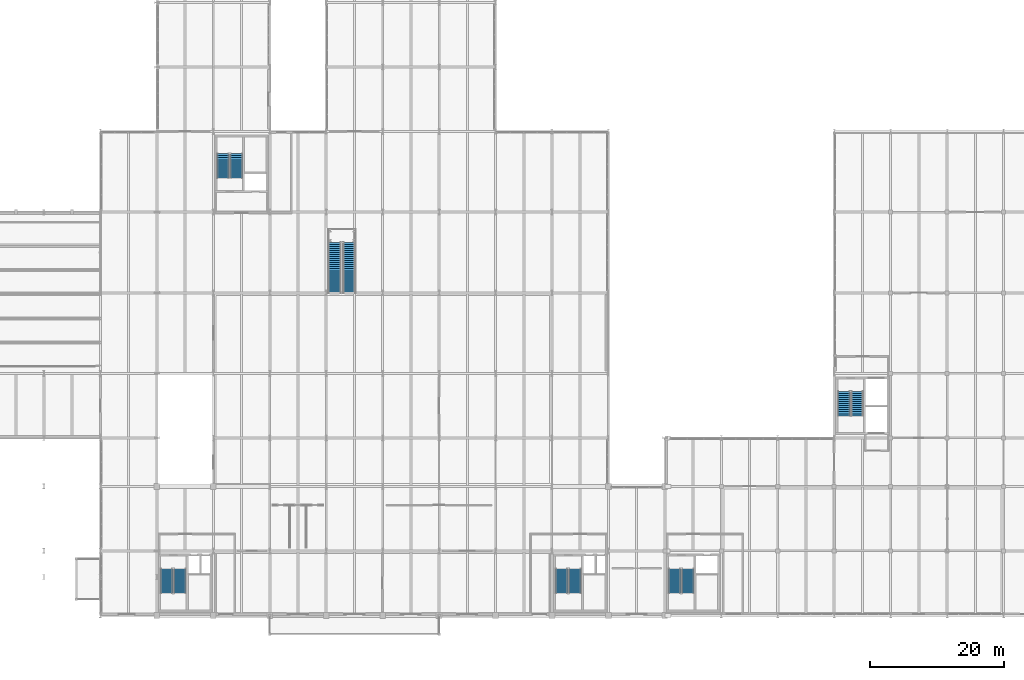
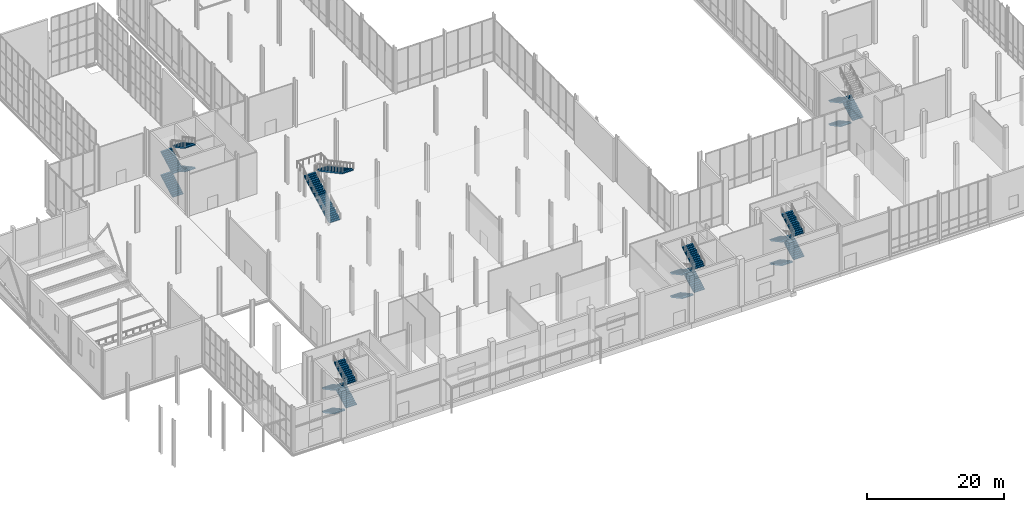
# One storey, part 121 of 131: 21 stair flights, 6 elements without a shape of their own.
"""IFC4 building model written with IfcOpenShell, lengths in metres."""

from ifc_helpers import new_model, si_unit, direction, frame, origin, place, context, subcontext, project, spatial, polyline, outline, extrude, material, type_object, element, aggregate, save


model = new_model("IFC4")

# Units and contexts
model_context = context("Model", 3, precision=1e-05, world=origin(), true_north=direction((0.0, 1.0)))
body_context = subcontext(model_context, "Body", "Model", "MODEL_VIEW")
ifc_project = project(units=[si_unit("LENGTHUNIT", "METRE"), si_unit("AREAUNIT", "SQUARE_METRE"), si_unit("VOLUMEUNIT", "CUBIC_METRE"), si_unit("PLANEANGLEUNIT", "RADIAN"), si_unit("MASSUNIT", "GRAM", prefix="KILO")], contexts=[model_context])

# Site, building, storey
site_placement = place(None, origin())
site = spatial("IfcSite", under=ifc_project, at=site_placement, CompositionType="ELEMENT")
building_placement = place(site_placement, origin())
building = spatial("IfcBuilding", under=site, at=building_placement, Name="Veltarok Museum of Natural Sciences", CompositionType="ELEMENT")
storey_placement = place(building_placement, origin())
storey = spatial("IfcBuildingStorey", under=building, at=storey_placement, Name="L00", CompositionType="ELEMENT", Elevation=0.0)

# Stair, stair flights
ifc_material = material(Name="Precast concrete C40/50", Category="concrete")
stair_type_1 = type_object("IfcStairType", Name="Constructivist Atrium Feature Stair H8400", PredefinedType="HALF_TURN_STAIR", material=ifc_material)
stair_1_placement = place(storey_placement, origin())
stair_1 = element("IfcStair", 1, at=stair_1_placement, inside=storey, type_object=stair_type_1, Name="Constructivist Atrium Feature Stair ST-ATR01", PredefinedType="HALF_TURN_STAIR")
stair_flight_type_1 = type_object("IfcStairFlightType", Name="Atrium Feature Stair Flight W1900", PredefinedType="STRAIGHT", material=ifc_material)
stair_flight_1_placement = place(storey_placement, frame((58.06005859375, 47.97998046875, 0.0), z_axis=(0.0, 0.0, 1.0), x_axis=(0.0, 1.0, 0.0)))
stair_flight_1 = element("IfcStairFlight", 2, at=stair_flight_1_placement, type_object=stair_flight_type_1, Name="ST-ATR01 flight 1", NumberOfRisers=26, NumberOfTreads=25, PredefinedType="STRAIGHT", RiserHeight=0.161538, TreadLength=0.3, context=body_context, shape_type="SweptSolid", body=[
    extrude(outline(polyline([(0.0, 0.0), (0.0, 0.16162109375), (0.300048828125, 0.16162109375), (0.300048828125, 0.322998046875), (0.60009765625, 0.322998046875), (0.60009765625, 0.484619140625), (0.89990234375, 0.484619140625), (0.89990234375, 0.646240234375), (1.199951171875, 0.646240234375), (1.199951171875, 0.8076171875), (1.5, 0.8076171875), (1.5, 0.96923828125), (1.800048828125, 0.96923828125), (1.800048828125, 1.130859375), (2.10009765625, 1.130859375), (2.10009765625, 1.292236328125), (2.39990234375, 1.292236328125), (2.39990234375, 1.453857421875), (2.699951171875, 1.453857421875), (2.699951171875, 1.615478515625), (3.0, 1.615478515625), (3.0, 1.77685546875), (3.300048828125, 1.77685546875), (3.300048828125, 1.9384765625), (3.60009765625, 1.9384765625), (3.60009765625, 2.10009765625), (3.89990234375, 2.10009765625), (3.89990234375, 2.261474609375), (4.199951171875, 2.261474609375), (4.199951171875, 2.423095703125), (4.5, 2.423095703125), (4.5, 2.584716796875), (4.800048828125, 2.584716796875), (4.800048828125, 2.74609375), (5.10009765625, 2.74609375), (5.10009765625, 2.90771484375), (5.39990234375, 2.90771484375), (5.39990234375, 3.0693359375), (5.699951171875, 3.0693359375), (5.699951171875, 3.230712890625), (6.0, 3.230712890625), (6.0, 3.392333984375), (6.300048828125, 3.392333984375), (6.300048828125, 3.553955078125), (6.60009765625, 3.553955078125), (6.60009765625, 3.71533203125), (6.89990234375, 3.71533203125), (6.89990234375, 3.876953125), (7.199951171875, 3.876953125), (7.199951171875, 4.038330078125), (7.5, 4.038330078125), (7.5, 4.199951171875), (7.5, 3.811279296875), (0.421630859375, 0.0), (0.0, 0.0)])), frame((0.0, 0.949951171875, 0.0), z_axis=(0.0, -1.0, 0.0), x_axis=(1.0, 0.0, 0.0)), (0.0, 0.0, 1.0), 1.89990234375),
])
stair_flight_2_placement = place(storey_placement, frame((60.260009765625, 55.47998046875, 4.199951171875), z_axis=(0.0, 0.0, 1.0), x_axis=(0.0, -1.0, 0.0)))
stair_flight_2 = element("IfcStairFlight", 3, at=stair_flight_2_placement, type_object=stair_flight_type_1, Name="ST-ATR01 flight 2", NumberOfRisers=26, NumberOfTreads=25, PredefinedType="STRAIGHT", RiserHeight=0.161538, TreadLength=0.3, context=body_context, shape_type="SweptSolid", body=[
    extrude(outline(polyline([(0.0, 0.0), (0.0, 0.16162109375), (0.300048828125, 0.16162109375), (0.300048828125, 0.322998046875), (0.60009765625, 0.322998046875), (0.60009765625, 0.484619140625), (0.89990234375, 0.484619140625), (0.89990234375, 0.646240234375), (1.199951171875, 0.646240234375), (1.199951171875, 0.8076171875), (1.5, 0.8076171875), (1.5, 0.96923828125), (1.800048828125, 0.96923828125), (1.800048828125, 1.130859375), (2.10009765625, 1.130859375), (2.10009765625, 1.292236328125), (2.39990234375, 1.292236328125), (2.39990234375, 1.453857421875), (2.699951171875, 1.453857421875), (2.699951171875, 1.615478515625), (3.0, 1.615478515625), (3.0, 1.77685546875), (3.300048828125, 1.77685546875), (3.300048828125, 1.9384765625), (3.60009765625, 1.9384765625), (3.60009765625, 2.10009765625), (3.89990234375, 2.10009765625), (3.89990234375, 2.261474609375), (4.199951171875, 2.261474609375), (4.199951171875, 2.423095703125), (4.5, 2.423095703125), (4.5, 2.584716796875), (4.800048828125, 2.584716796875), (4.800048828125, 2.74609375), (5.10009765625, 2.74609375), (5.10009765625, 2.90771484375), (5.39990234375, 2.90771484375), (5.39990234375, 3.0693359375), (5.699951171875, 3.0693359375), (5.699951171875, 3.230712890625), (6.0, 3.230712890625), (6.0, 3.392333984375), (6.300048828125, 3.392333984375), (6.300048828125, 3.553955078125), (6.60009765625, 3.553955078125), (6.60009765625, 3.71533203125), (6.89990234375, 3.71533203125), (6.89990234375, 3.876953125), (7.199951171875, 3.876953125), (7.199951171875, 4.038330078125), (7.5, 4.038330078125), (7.5, 4.199951171875), (7.5, 3.811279296875), (0.421630859375, 0.0), (0.0, 0.0)])), frame((0.0, 0.949951171875, 0.0), z_axis=(0.0, -1.0, 0.0), x_axis=(1.0, 0.0, 0.0)), (0.0, 0.0, 1.0), 1.89990234375),
])
aggregate(stair_1, [stair_flight_1, stair_flight_2])

stair_type_2 = type_object("IfcStairType", Name="Protected Four-Flight Double-Height Escape Stair H8400", PredefinedType="HALF_TURN_STAIR", material=ifc_material)
stair_2_placement = place(storey_placement, origin())
stair_2 = element("IfcStair", 4, at=stair_2_placement, inside=storey, type_object=stair_type_2, Name="Protected Escape Stair ST-01-L00", PredefinedType="HALF_TURN_STAIR")
stair_flight_type_2 = type_object("IfcStairFlightType", Name="Protected Escape Stair Flight W1820", PredefinedType="STRAIGHT", material=ifc_material)
stair_flight_3_placement = place(storey_placement, frame((33.06005859375, 6.89990234375, 0.0), z_axis=(0.0, 0.0, 1.0), x_axis=(0.0, -1.0, 0.0)))
stair_flight_3 = element("IfcStairFlight", 5, at=stair_flight_3_placement, type_object=stair_flight_type_2, Name="ST-01-L00 flight 1", NumberOfRisers=13, NumberOfTreads=12, PredefinedType="STRAIGHT", RiserHeight=0.161538, TreadLength=0.3, context=body_context, shape_type="SweptSolid", body=[
    extrude(outline(polyline([(0.0, 0.0), (0.0, 0.16162109375), (0.300048828125, 0.16162109375), (0.300048828125, 0.322998046875), (0.60009765625, 0.322998046875), (0.60009765625, 0.484619140625), (0.89990234375, 0.484619140625), (0.89990234375, 0.646240234375), (1.199951171875, 0.646240234375), (1.199951171875, 0.8076171875), (1.5, 0.8076171875), (1.5, 0.96923828125), (1.800048828125, 0.96923828125), (1.800048828125, 1.130859375), (2.10009765625, 1.130859375), (2.10009765625, 1.292236328125), (2.39990234375, 1.292236328125), (2.39990234375, 1.453857421875), (2.699951171875, 1.453857421875), (2.699951171875, 1.615478515625), (3.0, 1.615478515625), (3.0, 1.77685546875), (3.300048828125, 1.77685546875), (3.300048828125, 1.9384765625), (3.60009765625, 1.9384765625), (3.60009765625, 2.10009765625), (3.60009765625, 1.734130859375), (0.379638671875, 0.0), (0.0, 0.0)])), frame((0.0, 0.91015625, 0.0), z_axis=(0.0, -1.0, 0.0), x_axis=(1.0, 0.0, 0.0)), (0.0, 0.0, 1.0), 1.820068359375),
])
stair_flight_4_placement = place(storey_placement, frame((35.0400390625, 3.300048828125, 2.10009765625), z_axis=(0.0, 0.0, 1.0), x_axis=(0.0, 1.0, 0.0)))
stair_flight_4 = element("IfcStairFlight", 6, at=stair_flight_4_placement, type_object=stair_flight_type_2, Name="ST-01-L00 flight 2", NumberOfRisers=13, NumberOfTreads=12, PredefinedType="STRAIGHT", RiserHeight=0.161538, TreadLength=0.3, context=body_context, shape_type="SweptSolid", body=[
    extrude(outline(polyline([(0.0, 0.0), (0.0, 0.16162109375), (0.300048828125, 0.16162109375), (0.300048828125, 0.322998046875), (0.60009765625, 0.322998046875), (0.60009765625, 0.484619140625), (0.89990234375, 0.484619140625), (0.89990234375, 0.646240234375), (1.199951171875, 0.646240234375), (1.199951171875, 0.8076171875), (1.5, 0.8076171875), (1.5, 0.96923828125), (1.800048828125, 0.96923828125), (1.800048828125, 1.130859375), (2.10009765625, 1.130859375), (2.10009765625, 1.292236328125), (2.39990234375, 1.292236328125), (2.39990234375, 1.453857421875), (2.699951171875, 1.453857421875), (2.699951171875, 1.615478515625), (3.0, 1.615478515625), (3.0, 1.77685546875), (3.300048828125, 1.77685546875), (3.300048828125, 1.9384765625), (3.60009765625, 1.9384765625), (3.60009765625, 2.10009765625), (3.60009765625, 1.734130859375), (0.379638671875, 0.0), (0.0, 0.0)])), frame((0.0, 0.91015625, 0.0), z_axis=(0.0, -1.0, 0.0), x_axis=(1.0, 0.0, 0.0)), (0.0, 0.0, 1.0), 1.820068359375),
])
stair_flight_5_placement = place(storey_placement, frame((33.06005859375, 6.89990234375, 4.199951171875), z_axis=(0.0, 0.0, 1.0), x_axis=(0.0, -1.0, 0.0)))
stair_flight_5 = element("IfcStairFlight", 7, at=stair_flight_5_placement, type_object=stair_flight_type_2, Name="ST-01-L00 flight 3", NumberOfRisers=13, NumberOfTreads=12, PredefinedType="STRAIGHT", RiserHeight=0.161538, TreadLength=0.3, context=body_context, shape_type="SweptSolid", body=[
    extrude(outline(polyline([(0.0, 0.0), (0.0, 0.16162109375), (0.300048828125, 0.16162109375), (0.300048828125, 0.322998046875), (0.60009765625, 0.322998046875), (0.60009765625, 0.484619140625), (0.89990234375, 0.484619140625), (0.89990234375, 0.646240234375), (1.199951171875, 0.646240234375), (1.199951171875, 0.8076171875), (1.5, 0.8076171875), (1.5, 0.96923828125), (1.800048828125, 0.96923828125), (1.800048828125, 1.130859375), (2.10009765625, 1.130859375), (2.10009765625, 1.292236328125), (2.39990234375, 1.292236328125), (2.39990234375, 1.453857421875), (2.699951171875, 1.453857421875), (2.699951171875, 1.615478515625), (3.0, 1.615478515625), (3.0, 1.77685546875), (3.300048828125, 1.77685546875), (3.300048828125, 1.9384765625), (3.60009765625, 1.9384765625), (3.60009765625, 2.10009765625), (3.60009765625, 1.734130859375), (0.379638671875, 0.0), (0.0, 0.0)])), frame((0.0, 0.91015625, 0.0), z_axis=(0.0, -1.0, 0.0), x_axis=(1.0, 0.0, 0.0)), (0.0, 0.0, 1.0), 1.820068359375),
])
stair_flight_6_placement = place(storey_placement, frame((35.0400390625, 3.300048828125, 6.300048828125), z_axis=(0.0, 0.0, 1.0), x_axis=(0.0, 1.0, 0.0)))
stair_flight_6 = element("IfcStairFlight", 8, at=stair_flight_6_placement, type_object=stair_flight_type_2, Name="ST-01-L00 flight 4", NumberOfRisers=13, NumberOfTreads=12, PredefinedType="STRAIGHT", RiserHeight=0.161538, TreadLength=0.3, context=body_context, shape_type="SweptSolid", body=[
    extrude(outline(polyline([(0.0, 0.0), (0.0, 0.16162109375), (0.300048828125, 0.16162109375), (0.300048828125, 0.322998046875), (0.60009765625, 0.322998046875), (0.60009765625, 0.484619140625), (0.89990234375, 0.484619140625), (0.89990234375, 0.646240234375), (1.199951171875, 0.646240234375), (1.199951171875, 0.8076171875), (1.5, 0.8076171875), (1.5, 0.96923828125), (1.800048828125, 0.96923828125), (1.800048828125, 1.130859375), (2.10009765625, 1.130859375), (2.10009765625, 1.292236328125), (2.39990234375, 1.292236328125), (2.39990234375, 1.453857421875), (2.699951171875, 1.453857421875), (2.699951171875, 1.615478515625), (3.0, 1.615478515625), (3.0, 1.77685546875), (3.300048828125, 1.77685546875), (3.300048828125, 1.9384765625), (3.60009765625, 1.9384765625), (3.60009765625, 2.10009765625), (3.60009765625, 1.734130859375), (0.379638671875, 0.0), (0.0, 0.0)])), frame((0.0, 0.91015625, 0.0), z_axis=(0.0, -1.0, 0.0), x_axis=(1.0, 0.0, 0.0)), (0.0, 0.0, 1.0), 1.820068359375),
])
aggregate(stair_2, [stair_flight_3, stair_flight_4, stair_flight_5, stair_flight_6])

stair_3_placement = place(storey_placement, origin())
stair_3 = element("IfcStair", 9, at=stair_3_placement, inside=storey, type_object=stair_type_2, Name="Protected Escape Stair ST-02-L00", PredefinedType="HALF_TURN_STAIR")
stair_flight_7_placement = place(storey_placement, frame((91.860107421875, 6.89990234375, 0.0), z_axis=(0.0, 0.0, 1.0), x_axis=(0.0, -1.0, 0.0)))
stair_flight_7 = element("IfcStairFlight", 10, at=stair_flight_7_placement, type_object=stair_flight_type_2, Name="ST-02-L00 flight 1", NumberOfRisers=13, NumberOfTreads=12, PredefinedType="STRAIGHT", RiserHeight=0.161538, TreadLength=0.3, context=body_context, shape_type="SweptSolid", body=[
    extrude(outline(polyline([(0.0, 0.0), (0.0, 0.16162109375), (0.300048828125, 0.16162109375), (0.300048828125, 0.322998046875), (0.60009765625, 0.322998046875), (0.60009765625, 0.484619140625), (0.89990234375, 0.484619140625), (0.89990234375, 0.646240234375), (1.199951171875, 0.646240234375), (1.199951171875, 0.8076171875), (1.5, 0.8076171875), (1.5, 0.96923828125), (1.800048828125, 0.96923828125), (1.800048828125, 1.130859375), (2.10009765625, 1.130859375), (2.10009765625, 1.292236328125), (2.39990234375, 1.292236328125), (2.39990234375, 1.453857421875), (2.699951171875, 1.453857421875), (2.699951171875, 1.615478515625), (3.0, 1.615478515625), (3.0, 1.77685546875), (3.300048828125, 1.77685546875), (3.300048828125, 1.9384765625), (3.60009765625, 1.9384765625), (3.60009765625, 2.10009765625), (3.60009765625, 1.734130859375), (0.379638671875, 0.0), (0.0, 0.0)])), frame((0.0, 0.91015625, 0.0), z_axis=(0.0, -1.0, 0.0), x_axis=(1.0, 0.0, 0.0)), (0.0, 0.0, 1.0), 1.820068359375),
])
stair_flight_8_placement = place(storey_placement, frame((93.840087890625, 3.300048828125, 2.10009765625), z_axis=(0.0, 0.0, 1.0), x_axis=(0.0, 1.0, 0.0)))
stair_flight_8 = element("IfcStairFlight", 11, at=stair_flight_8_placement, type_object=stair_flight_type_2, Name="ST-02-L00 flight 2", NumberOfRisers=13, NumberOfTreads=12, PredefinedType="STRAIGHT", RiserHeight=0.161538, TreadLength=0.3, context=body_context, shape_type="SweptSolid", body=[
    extrude(outline(polyline([(0.0, 0.0), (0.0, 0.16162109375), (0.300048828125, 0.16162109375), (0.300048828125, 0.322998046875), (0.60009765625, 0.322998046875), (0.60009765625, 0.484619140625), (0.89990234375, 0.484619140625), (0.89990234375, 0.646240234375), (1.199951171875, 0.646240234375), (1.199951171875, 0.8076171875), (1.5, 0.8076171875), (1.5, 0.96923828125), (1.800048828125, 0.96923828125), (1.800048828125, 1.130859375), (2.10009765625, 1.130859375), (2.10009765625, 1.292236328125), (2.39990234375, 1.292236328125), (2.39990234375, 1.453857421875), (2.699951171875, 1.453857421875), (2.699951171875, 1.615478515625), (3.0, 1.615478515625), (3.0, 1.77685546875), (3.300048828125, 1.77685546875), (3.300048828125, 1.9384765625), (3.60009765625, 1.9384765625), (3.60009765625, 2.10009765625), (3.60009765625, 1.734130859375), (0.379638671875, 0.0), (0.0, 0.0)])), frame((0.0, 0.91015625, 0.0), z_axis=(0.0, -1.0, 0.0), x_axis=(1.0, 0.0, 0.0)), (0.0, 0.0, 1.0), 1.820068359375),
])
stair_flight_9_placement = place(storey_placement, frame((91.860107421875, 6.89990234375, 4.199951171875), z_axis=(0.0, 0.0, 1.0), x_axis=(0.0, -1.0, 0.0)))
stair_flight_9 = element("IfcStairFlight", 12, at=stair_flight_9_placement, type_object=stair_flight_type_2, Name="ST-02-L00 flight 3", NumberOfRisers=13, NumberOfTreads=12, PredefinedType="STRAIGHT", RiserHeight=0.161538, TreadLength=0.3, context=body_context, shape_type="SweptSolid", body=[
    extrude(outline(polyline([(0.0, 0.0), (0.0, 0.16162109375), (0.300048828125, 0.16162109375), (0.300048828125, 0.322998046875), (0.60009765625, 0.322998046875), (0.60009765625, 0.484619140625), (0.89990234375, 0.484619140625), (0.89990234375, 0.646240234375), (1.199951171875, 0.646240234375), (1.199951171875, 0.8076171875), (1.5, 0.8076171875), (1.5, 0.96923828125), (1.800048828125, 0.96923828125), (1.800048828125, 1.130859375), (2.10009765625, 1.130859375), (2.10009765625, 1.292236328125), (2.39990234375, 1.292236328125), (2.39990234375, 1.453857421875), (2.699951171875, 1.453857421875), (2.699951171875, 1.615478515625), (3.0, 1.615478515625), (3.0, 1.77685546875), (3.300048828125, 1.77685546875), (3.300048828125, 1.9384765625), (3.60009765625, 1.9384765625), (3.60009765625, 2.10009765625), (3.60009765625, 1.734130859375), (0.379638671875, 0.0), (0.0, 0.0)])), frame((0.0, 0.91015625, 0.0), z_axis=(0.0, -1.0, 0.0), x_axis=(1.0, 0.0, 0.0)), (0.0, 0.0, 1.0), 1.820068359375),
])
stair_flight_10_placement = place(storey_placement, frame((93.840087890625, 3.300048828125, 6.300048828125), z_axis=(0.0, 0.0, 1.0), x_axis=(0.0, 1.0, 0.0)))
stair_flight_10 = element("IfcStairFlight", 13, at=stair_flight_10_placement, type_object=stair_flight_type_2, Name="ST-02-L00 flight 4", NumberOfRisers=13, NumberOfTreads=12, PredefinedType="STRAIGHT", RiserHeight=0.161538, TreadLength=0.3, context=body_context, shape_type="SweptSolid", body=[
    extrude(outline(polyline([(0.0, 0.0), (0.0, 0.16162109375), (0.300048828125, 0.16162109375), (0.300048828125, 0.322998046875), (0.60009765625, 0.322998046875), (0.60009765625, 0.484619140625), (0.89990234375, 0.484619140625), (0.89990234375, 0.646240234375), (1.199951171875, 0.646240234375), (1.199951171875, 0.8076171875), (1.5, 0.8076171875), (1.5, 0.96923828125), (1.800048828125, 0.96923828125), (1.800048828125, 1.130859375), (2.10009765625, 1.130859375), (2.10009765625, 1.292236328125), (2.39990234375, 1.292236328125), (2.39990234375, 1.453857421875), (2.699951171875, 1.453857421875), (2.699951171875, 1.615478515625), (3.0, 1.615478515625), (3.0, 1.77685546875), (3.300048828125, 1.77685546875), (3.300048828125, 1.9384765625), (3.60009765625, 1.9384765625), (3.60009765625, 2.10009765625), (3.60009765625, 1.734130859375), (0.379638671875, 0.0), (0.0, 0.0)])), frame((0.0, 0.91015625, 0.0), z_axis=(0.0, -1.0, 0.0), x_axis=(1.0, 0.0, 0.0)), (0.0, 0.0, 1.0), 1.820068359375),
])
aggregate(stair_3, [stair_flight_7, stair_flight_8, stair_flight_9, stair_flight_10])

stair_4_placement = place(storey_placement, origin())
stair_4 = element("IfcStair", 14, at=stair_4_placement, inside=storey, type_object=stair_type_2, Name="Protected Escape Stair ST-03-L00", PredefinedType="HALF_TURN_STAIR")
stair_flight_11_placement = place(storey_placement, frame((41.4599609375, 65.10009765625, 0.0), z_axis=(0.0, 0.0, 1.0), x_axis=(0.0, 1.0, 0.0)))
stair_flight_11 = element("IfcStairFlight", 15, at=stair_flight_11_placement, type_object=stair_flight_type_2, Name="ST-03-L00 flight 1", NumberOfRisers=13, NumberOfTreads=12, PredefinedType="STRAIGHT", RiserHeight=0.161538, TreadLength=0.3, context=body_context, shape_type="SweptSolid", body=[
    extrude(outline(polyline([(0.0, 0.0), (0.0, 0.16162109375), (0.300048828125, 0.16162109375), (0.300048828125, 0.322998046875), (0.60009765625, 0.322998046875), (0.60009765625, 0.484619140625), (0.89990234375, 0.484619140625), (0.89990234375, 0.646240234375), (1.199951171875, 0.646240234375), (1.199951171875, 0.8076171875), (1.5, 0.8076171875), (1.5, 0.96923828125), (1.800048828125, 0.96923828125), (1.800048828125, 1.130859375), (2.10009765625, 1.130859375), (2.10009765625, 1.292236328125), (2.39990234375, 1.292236328125), (2.39990234375, 1.453857421875), (2.699951171875, 1.453857421875), (2.699951171875, 1.615478515625), (3.0, 1.615478515625), (3.0, 1.77685546875), (3.300048828125, 1.77685546875), (3.300048828125, 1.9384765625), (3.60009765625, 1.9384765625), (3.60009765625, 2.10009765625), (3.60009765625, 1.734130859375), (0.379638671875, 0.0), (0.0, 0.0)])), frame((0.0, 0.91015625, 0.0), z_axis=(0.0, -1.0, 0.0), x_axis=(1.0, 0.0, 0.0)), (0.0, 0.0, 1.0), 1.820068359375),
])
stair_flight_12_placement = place(storey_placement, frame((43.43994140625, 68.699951171875, 2.10009765625), z_axis=(0.0, 0.0, 1.0), x_axis=(0.0, -1.0, 0.0)))
stair_flight_12 = element("IfcStairFlight", 16, at=stair_flight_12_placement, type_object=stair_flight_type_2, Name="ST-03-L00 flight 2", NumberOfRisers=13, NumberOfTreads=12, PredefinedType="STRAIGHT", RiserHeight=0.161538, TreadLength=0.3, context=body_context, shape_type="SweptSolid", body=[
    extrude(outline(polyline([(0.0, 0.0), (0.0, 0.16162109375), (0.300048828125, 0.16162109375), (0.300048828125, 0.322998046875), (0.60009765625, 0.322998046875), (0.60009765625, 0.484619140625), (0.89990234375, 0.484619140625), (0.89990234375, 0.646240234375), (1.199951171875, 0.646240234375), (1.199951171875, 0.8076171875), (1.5, 0.8076171875), (1.5, 0.96923828125), (1.800048828125, 0.96923828125), (1.800048828125, 1.130859375), (2.10009765625, 1.130859375), (2.10009765625, 1.292236328125), (2.39990234375, 1.292236328125), (2.39990234375, 1.453857421875), (2.699951171875, 1.453857421875), (2.699951171875, 1.615478515625), (3.0, 1.615478515625), (3.0, 1.77685546875), (3.300048828125, 1.77685546875), (3.300048828125, 1.9384765625), (3.60009765625, 1.9384765625), (3.60009765625, 2.10009765625), (3.60009765625, 1.734130859375), (0.379638671875, 0.0), (0.0, 0.0)])), frame((0.0, 0.91015625, 0.0), z_axis=(0.0, -1.0, 0.0), x_axis=(1.0, 0.0, 0.0)), (0.0, 0.0, 1.0), 1.820068359375),
])
stair_flight_13_placement = place(storey_placement, frame((41.4599609375, 65.10009765625, 4.199951171875), z_axis=(0.0, 0.0, 1.0), x_axis=(0.0, 1.0, 0.0)))
stair_flight_13 = element("IfcStairFlight", 17, at=stair_flight_13_placement, type_object=stair_flight_type_2, Name="ST-03-L00 flight 3", NumberOfRisers=13, NumberOfTreads=12, PredefinedType="STRAIGHT", RiserHeight=0.161538, TreadLength=0.3, context=body_context, shape_type="SweptSolid", body=[
    extrude(outline(polyline([(0.0, 0.0), (0.0, 0.16162109375), (0.300048828125, 0.16162109375), (0.300048828125, 0.322998046875), (0.60009765625, 0.322998046875), (0.60009765625, 0.484619140625), (0.89990234375, 0.484619140625), (0.89990234375, 0.646240234375), (1.199951171875, 0.646240234375), (1.199951171875, 0.8076171875), (1.5, 0.8076171875), (1.5, 0.96923828125), (1.800048828125, 0.96923828125), (1.800048828125, 1.130859375), (2.10009765625, 1.130859375), (2.10009765625, 1.292236328125), (2.39990234375, 1.292236328125), (2.39990234375, 1.453857421875), (2.699951171875, 1.453857421875), (2.699951171875, 1.615478515625), (3.0, 1.615478515625), (3.0, 1.77685546875), (3.300048828125, 1.77685546875), (3.300048828125, 1.9384765625), (3.60009765625, 1.9384765625), (3.60009765625, 2.10009765625), (3.60009765625, 1.734130859375), (0.379638671875, 0.0), (0.0, 0.0)])), frame((0.0, 0.91015625, 0.0), z_axis=(0.0, -1.0, 0.0), x_axis=(1.0, 0.0, 0.0)), (0.0, 0.0, 1.0), 1.820068359375),
])
stair_flight_14_placement = place(storey_placement, frame((43.43994140625, 68.699951171875, 6.300048828125), z_axis=(0.0, 0.0, 1.0), x_axis=(0.0, -1.0, 0.0)))
stair_flight_14 = element("IfcStairFlight", 18, at=stair_flight_14_placement, type_object=stair_flight_type_2, Name="ST-03-L00 flight 4", NumberOfRisers=13, NumberOfTreads=12, PredefinedType="STRAIGHT", RiserHeight=0.161538, TreadLength=0.3, context=body_context, shape_type="SweptSolid", body=[
    extrude(outline(polyline([(0.0, 0.0), (0.0, 0.16162109375), (0.300048828125, 0.16162109375), (0.300048828125, 0.322998046875), (0.60009765625, 0.322998046875), (0.60009765625, 0.484619140625), (0.89990234375, 0.484619140625), (0.89990234375, 0.646240234375), (1.199951171875, 0.646240234375), (1.199951171875, 0.8076171875), (1.5, 0.8076171875), (1.5, 0.96923828125), (1.800048828125, 0.96923828125), (1.800048828125, 1.130859375), (2.10009765625, 1.130859375), (2.10009765625, 1.292236328125), (2.39990234375, 1.292236328125), (2.39990234375, 1.453857421875), (2.699951171875, 1.453857421875), (2.699951171875, 1.615478515625), (3.0, 1.615478515625), (3.0, 1.77685546875), (3.300048828125, 1.77685546875), (3.300048828125, 1.9384765625), (3.60009765625, 1.9384765625), (3.60009765625, 2.10009765625), (3.60009765625, 1.734130859375), (0.379638671875, 0.0), (0.0, 0.0)])), frame((0.0, 0.91015625, 0.0), z_axis=(0.0, -1.0, 0.0), x_axis=(1.0, 0.0, 0.0)), (0.0, 0.0, 1.0), 1.820068359375),
])
aggregate(stair_4, [stair_flight_11, stair_flight_12, stair_flight_13, stair_flight_14])

stair_5_placement = place(storey_placement, origin())
stair_5 = element("IfcStair", 19, at=stair_5_placement, inside=storey, type_object=stair_type_2, Name="Protected Escape Stair ST-04-L00", PredefinedType="HALF_TURN_STAIR")
stair_flight_15_placement = place(storey_placement, frame((108.659912109375, 6.89990234375, 0.0), z_axis=(0.0, 0.0, 1.0), x_axis=(0.0, -1.0, 0.0)))
stair_flight_15 = element("IfcStairFlight", 20, at=stair_flight_15_placement, type_object=stair_flight_type_2, Name="ST-04-L00 flight 1", NumberOfRisers=13, NumberOfTreads=12, PredefinedType="STRAIGHT", RiserHeight=0.161538, TreadLength=0.3, context=body_context, shape_type="SweptSolid", body=[
    extrude(outline(polyline([(0.0, 0.0), (0.0, 0.16162109375), (0.300048828125, 0.16162109375), (0.300048828125, 0.322998046875), (0.60009765625, 0.322998046875), (0.60009765625, 0.484619140625), (0.89990234375, 0.484619140625), (0.89990234375, 0.646240234375), (1.199951171875, 0.646240234375), (1.199951171875, 0.8076171875), (1.5, 0.8076171875), (1.5, 0.96923828125), (1.800048828125, 0.96923828125), (1.800048828125, 1.130859375), (2.10009765625, 1.130859375), (2.10009765625, 1.292236328125), (2.39990234375, 1.292236328125), (2.39990234375, 1.453857421875), (2.699951171875, 1.453857421875), (2.699951171875, 1.615478515625), (3.0, 1.615478515625), (3.0, 1.77685546875), (3.300048828125, 1.77685546875), (3.300048828125, 1.9384765625), (3.60009765625, 1.9384765625), (3.60009765625, 2.10009765625), (3.60009765625, 1.734130859375), (0.379638671875, 0.0), (0.0, 0.0)])), frame((0.0, 0.91015625, 0.0), z_axis=(0.0, -1.0, 0.0), x_axis=(1.0, 0.0, 0.0)), (0.0, 0.0, 1.0), 1.820068359375),
])
stair_flight_16_placement = place(storey_placement, frame((110.639892578125, 3.300048828125, 2.10009765625), z_axis=(0.0, 0.0, 1.0), x_axis=(0.0, 1.0, 0.0)))
stair_flight_16 = element("IfcStairFlight", 21, at=stair_flight_16_placement, type_object=stair_flight_type_2, Name="ST-04-L00 flight 2", NumberOfRisers=13, NumberOfTreads=12, PredefinedType="STRAIGHT", RiserHeight=0.161538, TreadLength=0.3, context=body_context, shape_type="SweptSolid", body=[
    extrude(outline(polyline([(0.0, 0.0), (0.0, 0.16162109375), (0.300048828125, 0.16162109375), (0.300048828125, 0.322998046875), (0.60009765625, 0.322998046875), (0.60009765625, 0.484619140625), (0.89990234375, 0.484619140625), (0.89990234375, 0.646240234375), (1.199951171875, 0.646240234375), (1.199951171875, 0.8076171875), (1.5, 0.8076171875), (1.5, 0.96923828125), (1.800048828125, 0.96923828125), (1.800048828125, 1.130859375), (2.10009765625, 1.130859375), (2.10009765625, 1.292236328125), (2.39990234375, 1.292236328125), (2.39990234375, 1.453857421875), (2.699951171875, 1.453857421875), (2.699951171875, 1.615478515625), (3.0, 1.615478515625), (3.0, 1.77685546875), (3.300048828125, 1.77685546875), (3.300048828125, 1.9384765625), (3.60009765625, 1.9384765625), (3.60009765625, 2.10009765625), (3.60009765625, 1.734130859375), (0.379638671875, 0.0), (0.0, 0.0)])), frame((0.0, 0.91015625, 0.0), z_axis=(0.0, -1.0, 0.0), x_axis=(1.0, 0.0, 0.0)), (0.0, 0.0, 1.0), 1.820068359375),
])
stair_flight_17_placement = place(storey_placement, frame((108.659912109375, 6.89990234375, 4.199951171875), z_axis=(0.0, 0.0, 1.0), x_axis=(0.0, -1.0, 0.0)))
stair_flight_17 = element("IfcStairFlight", 22, at=stair_flight_17_placement, type_object=stair_flight_type_2, Name="ST-04-L00 flight 3", NumberOfRisers=13, NumberOfTreads=12, PredefinedType="STRAIGHT", RiserHeight=0.161538, TreadLength=0.3, context=body_context, shape_type="SweptSolid", body=[
    extrude(outline(polyline([(0.0, 0.0), (0.0, 0.16162109375), (0.300048828125, 0.16162109375), (0.300048828125, 0.322998046875), (0.60009765625, 0.322998046875), (0.60009765625, 0.484619140625), (0.89990234375, 0.484619140625), (0.89990234375, 0.646240234375), (1.199951171875, 0.646240234375), (1.199951171875, 0.8076171875), (1.5, 0.8076171875), (1.5, 0.96923828125), (1.800048828125, 0.96923828125), (1.800048828125, 1.130859375), (2.10009765625, 1.130859375), (2.10009765625, 1.292236328125), (2.39990234375, 1.292236328125), (2.39990234375, 1.453857421875), (2.699951171875, 1.453857421875), (2.699951171875, 1.615478515625), (3.0, 1.615478515625), (3.0, 1.77685546875), (3.300048828125, 1.77685546875), (3.300048828125, 1.9384765625), (3.60009765625, 1.9384765625), (3.60009765625, 2.10009765625), (3.60009765625, 1.734130859375), (0.379638671875, 0.0), (0.0, 0.0)])), frame((0.0, 0.91015625, 0.0), z_axis=(0.0, -1.0, 0.0), x_axis=(1.0, 0.0, 0.0)), (0.0, 0.0, 1.0), 1.820068359375),
])
stair_flight_18_placement = place(storey_placement, frame((110.639892578125, 3.300048828125, 6.300048828125), z_axis=(0.0, 0.0, 1.0), x_axis=(0.0, 1.0, 0.0)))
stair_flight_18 = element("IfcStairFlight", 23, at=stair_flight_18_placement, type_object=stair_flight_type_2, Name="ST-04-L00 flight 4", NumberOfRisers=13, NumberOfTreads=12, PredefinedType="STRAIGHT", RiserHeight=0.161538, TreadLength=0.3, context=body_context, shape_type="SweptSolid", body=[
    extrude(outline(polyline([(0.0, 0.0), (0.0, 0.16162109375), (0.300048828125, 0.16162109375), (0.300048828125, 0.322998046875), (0.60009765625, 0.322998046875), (0.60009765625, 0.484619140625), (0.89990234375, 0.484619140625), (0.89990234375, 0.646240234375), (1.199951171875, 0.646240234375), (1.199951171875, 0.8076171875), (1.5, 0.8076171875), (1.5, 0.96923828125), (1.800048828125, 0.96923828125), (1.800048828125, 1.130859375), (2.10009765625, 1.130859375), (2.10009765625, 1.292236328125), (2.39990234375, 1.292236328125), (2.39990234375, 1.453857421875), (2.699951171875, 1.453857421875), (2.699951171875, 1.615478515625), (3.0, 1.615478515625), (3.0, 1.77685546875), (3.300048828125, 1.77685546875), (3.300048828125, 1.9384765625), (3.60009765625, 1.9384765625), (3.60009765625, 2.10009765625), (3.60009765625, 1.734130859375), (0.379638671875, 0.0), (0.0, 0.0)])), frame((0.0, 0.91015625, 0.0), z_axis=(0.0, -1.0, 0.0), x_axis=(1.0, 0.0, 0.0)), (0.0, 0.0, 1.0), 1.820068359375),
])
aggregate(stair_5, [stair_flight_15, stair_flight_16, stair_flight_17, stair_flight_18])

stair_6_placement = place(storey_placement, origin())
stair_6 = element("IfcStair", 24, at=stair_6_placement, inside=storey, type_object=stair_type_2, Name="Protected Escape Stair ST-05-L00", PredefinedType="HALF_TURN_STAIR")
stair_flight_19_placement = place(storey_placement, frame((133.860107421875, 33.300048828125, 0.0), z_axis=(0.0, 0.0, 1.0), x_axis=(0.0, -1.0, 0.0)))
stair_flight_19 = element("IfcStairFlight", 25, at=stair_flight_19_placement, type_object=stair_flight_type_2, Name="ST-05-L00 flight 1", NumberOfRisers=13, NumberOfTreads=12, PredefinedType="STRAIGHT", RiserHeight=0.161538, TreadLength=0.3, context=body_context, shape_type="SweptSolid", body=[
    extrude(outline(polyline([(0.0, 0.0), (0.0, 0.16162109375), (0.300048828125, 0.16162109375), (0.300048828125, 0.322998046875), (0.60009765625, 0.322998046875), (0.60009765625, 0.484619140625), (0.89990234375, 0.484619140625), (0.89990234375, 0.646240234375), (1.199951171875, 0.646240234375), (1.199951171875, 0.8076171875), (1.5, 0.8076171875), (1.5, 0.96923828125), (1.800048828125, 0.96923828125), (1.800048828125, 1.130859375), (2.10009765625, 1.130859375), (2.10009765625, 1.292236328125), (2.39990234375, 1.292236328125), (2.39990234375, 1.453857421875), (2.699951171875, 1.453857421875), (2.699951171875, 1.615478515625), (3.0, 1.615478515625), (3.0, 1.77685546875), (3.300048828125, 1.77685546875), (3.300048828125, 1.9384765625), (3.60009765625, 1.9384765625), (3.60009765625, 2.10009765625), (3.60009765625, 1.734130859375), (0.379638671875, 0.0), (0.0, 0.0)])), frame((0.0, 0.91015625, 0.0), z_axis=(0.0, -1.0, 0.0), x_axis=(1.0, 0.0, 0.0)), (0.0, 0.0, 1.0), 1.820068359375),
])
stair_flight_20_placement = place(storey_placement, frame((135.840087890625, 29.699951171875, 2.10009765625), z_axis=(0.0, 0.0, 1.0), x_axis=(0.0, 1.0, 0.0)))
stair_flight_20 = element("IfcStairFlight", 26, at=stair_flight_20_placement, type_object=stair_flight_type_2, Name="ST-05-L00 flight 2", NumberOfRisers=13, NumberOfTreads=12, PredefinedType="STRAIGHT", RiserHeight=0.161538, TreadLength=0.3, context=body_context, shape_type="SweptSolid", body=[
    extrude(outline(polyline([(0.0, 0.0), (0.0, 0.16162109375), (0.300048828125, 0.16162109375), (0.300048828125, 0.322998046875), (0.60009765625, 0.322998046875), (0.60009765625, 0.484619140625), (0.89990234375, 0.484619140625), (0.89990234375, 0.646240234375), (1.199951171875, 0.646240234375), (1.199951171875, 0.8076171875), (1.5, 0.8076171875), (1.5, 0.96923828125), (1.800048828125, 0.96923828125), (1.800048828125, 1.130859375), (2.10009765625, 1.130859375), (2.10009765625, 1.292236328125), (2.39990234375, 1.292236328125), (2.39990234375, 1.453857421875), (2.699951171875, 1.453857421875), (2.699951171875, 1.615478515625), (3.0, 1.615478515625), (3.0, 1.77685546875), (3.300048828125, 1.77685546875), (3.300048828125, 1.9384765625), (3.60009765625, 1.9384765625), (3.60009765625, 2.10009765625), (3.60009765625, 1.734130859375), (0.379638671875, 0.0), (0.0, 0.0)])), frame((0.0, 0.91015625, 0.0), z_axis=(0.0, -1.0, 0.0), x_axis=(1.0, 0.0, 0.0)), (0.0, 0.0, 1.0), 1.820068359375),
])
stair_flight_21_placement = place(storey_placement, frame((133.860107421875, 33.300048828125, 4.199951171875), z_axis=(0.0, 0.0, 1.0), x_axis=(0.0, -1.0, 0.0)))
stair_flight_21 = element("IfcStairFlight", 27, at=stair_flight_21_placement, type_object=stair_flight_type_2, Name="ST-05-L00 flight 3", NumberOfRisers=13, NumberOfTreads=12, PredefinedType="STRAIGHT", RiserHeight=0.161538, TreadLength=0.3, context=body_context, shape_type="SweptSolid", body=[
    extrude(outline(polyline([(0.0, 0.0), (0.0, 0.16162109375), (0.300048828125, 0.16162109375), (0.300048828125, 0.322998046875), (0.60009765625, 0.322998046875), (0.60009765625, 0.484619140625), (0.89990234375, 0.484619140625), (0.89990234375, 0.646240234375), (1.199951171875, 0.646240234375), (1.199951171875, 0.8076171875), (1.5, 0.8076171875), (1.5, 0.96923828125), (1.800048828125, 0.96923828125), (1.800048828125, 1.130859375), (2.10009765625, 1.130859375), (2.10009765625, 1.292236328125), (2.39990234375, 1.292236328125), (2.39990234375, 1.453857421875), (2.699951171875, 1.453857421875), (2.699951171875, 1.615478515625), (3.0, 1.615478515625), (3.0, 1.77685546875), (3.300048828125, 1.77685546875), (3.300048828125, 1.9384765625), (3.60009765625, 1.9384765625), (3.60009765625, 2.10009765625), (3.60009765625, 1.734130859375), (0.379638671875, 0.0), (0.0, 0.0)])), frame((0.0, 0.91015625, 0.0), z_axis=(0.0, -1.0, 0.0), x_axis=(1.0, 0.0, 0.0)), (0.0, 0.0, 1.0), 1.820068359375),
])
aggregate(stair_6, [stair_flight_19, stair_flight_20, stair_flight_21])

save(model, "model.ifc")
